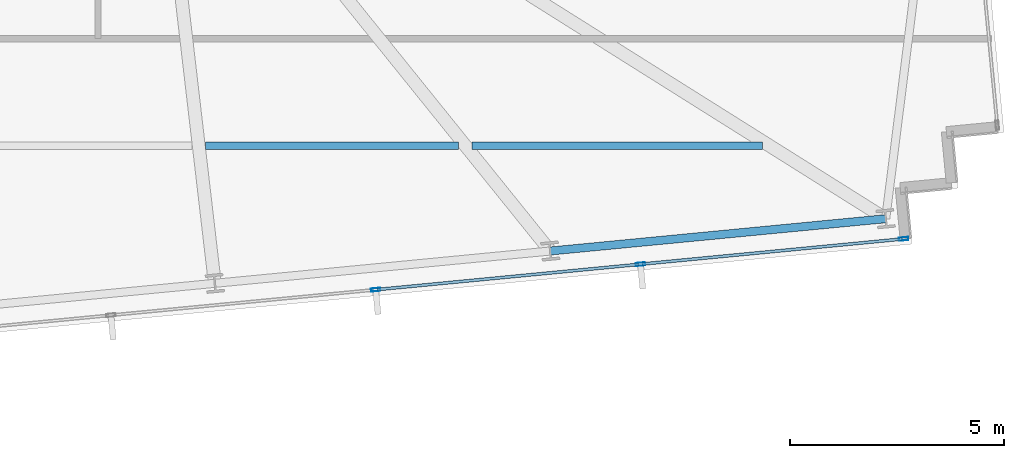
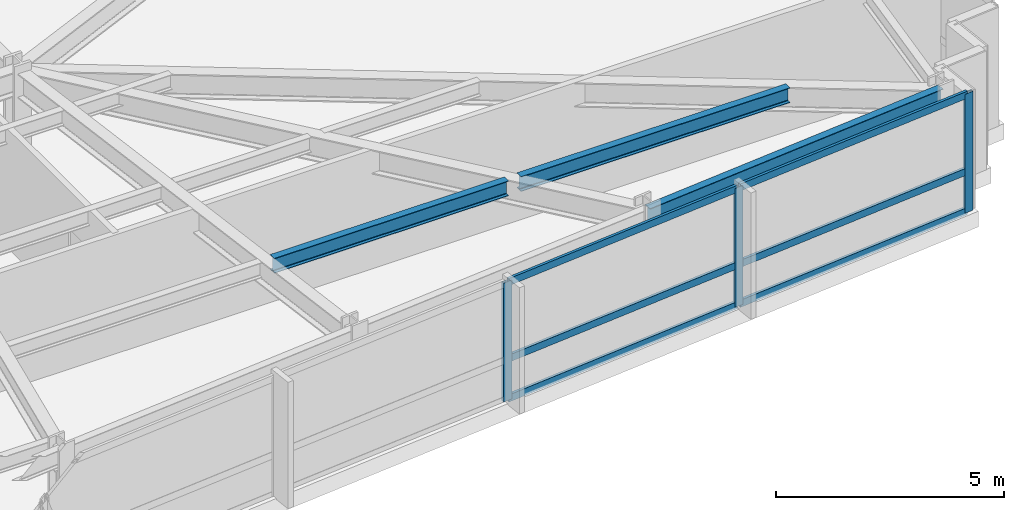
# One storey, part 13 of 33: 9 members, 3 beams, 1 element without a shape of its own.
"""IFC4 building model written with IfcOpenShell, lengths in metres."""

import ifcopenshell
import ifcopenshell.guid

model = None  # the IFC model being written
_history = None  # IfcOwnerHistory: only IFC2X3 demands one
_inside = {}  # id of a spatial element -> (the spatial element, [elements in it])
_under = {}  # id of a project, library or spatial element -> (it, [spatial elements below it])
_declared = {}  # id of a project -> (the project, [libraries it declares])
_typed = {}  # id of a type object -> (the type object, [elements of that type])
_made_of = {}  # id of a material, layer set ... -> (it, [elements and type objects made of it])


def new_model(schema):
    """Start an empty IFC model of exactly this schema.

    Asked for "IFC4X3", IfcOpenShell would pick the latest addendum, in which some entities
    have other attributes; the version numbers below select the first issue.
    IFC2X3 requires an IfcOwnerHistory on every rooted entity: one is made here for all.
    """
    global model, _history
    if schema == "IFC4X3":
        model = ifcopenshell.file(schema_version=(4, 3, 0, 0))
    else:
        model = ifcopenshell.file(schema=schema)
    _inside.clear()
    _under.clear()
    _declared.clear()
    _typed.clear()
    _made_of.clear()
    _history = None
    if model.schema == "IFC2X3":
        org = make("IfcOrganization", Name="unknown")
        user = make(
            "IfcPersonAndOrganization",
            ThePerson=make("IfcPerson", FamilyName="unknown"),
            TheOrganization=org,
        )
        app = make(
            "IfcApplication",
            ApplicationDeveloper=org,
            Version="unknown",
            ApplicationFullName="unknown",
            ApplicationIdentifier="unknown",
        )
        _history = make(
            "IfcOwnerHistory",
            OwningUser=user,
            OwningApplication=app,
            ChangeAction="ADDED",
            CreationDate=0,
        )
    return model


def make(cls, **values):
    """One entity of the class cls with the attributes given. An attribute that is None is left unset."""
    return model.create_entity(
        cls, **{name: value for name, value in values.items() if value is not None}
    )


def rooted(cls, **values):
    """An entity with a GlobalId (a new one), such as an element, a storey or a relation."""
    return make(cls, GlobalId=ifcopenshell.guid.new(), OwnerHistory=_history, **values)


def si_unit(unit_type, name, prefix=None):
    """IfcSIUnit, for example si_unit("LENGTHUNIT", "METRE", prefix="MILLI")."""
    return make("IfcSIUnit", UnitType=unit_type, Prefix=prefix, Name=name)


def assignment(units):
    """IfcUnitAssignment: the units of a project."""
    return None if units is None else make("IfcUnitAssignment", Units=units)


def point(xyz):
    """IfcCartesianPoint."""
    return None if xyz is None else make("IfcCartesianPoint", Coordinates=xyz)


def direction(xyz):
    """IfcDirection."""
    return None if xyz is None else make("IfcDirection", DirectionRatios=xyz)


def frame(location, z_axis=None, x_axis=None):
    """IfcAxis2Placement3D, a coordinate frame: its origin and axes. An axis left out is left unset."""
    return make(
        "IfcAxis2Placement3D",
        Location=point(location),
        Axis=direction(z_axis),
        RefDirection=direction(x_axis),
    )


def frame_2d(location, x_axis=None):
    """IfcAxis2Placement2D, a coordinate frame in the plane: its origin and x axis."""
    return make(
        "IfcAxis2Placement2D", Location=point(location), RefDirection=direction(x_axis)
    )


def origin():
    """The frame at (0, 0, 0) with its axes left unset."""
    return frame((0.0, 0.0, 0.0))


def origin_2d():
    """The frame at (0, 0) in the plane with its x axis left unset."""
    return frame_2d((0.0, 0.0))


def place(relative_to, where):
    """IfcLocalPlacement: puts the frame where relative to a parent placement (None: the world)."""
    return make(
        "IfcLocalPlacement", PlacementRelTo=relative_to, RelativePlacement=where
    )


def context(
    kind, dimensions, precision=None, world=None, true_north=None, identifier=None
):
    """IfcGeometricRepresentationContext, for example the 3D "Model" context."""
    return make(
        "IfcGeometricRepresentationContext",
        ContextIdentifier=identifier,
        ContextType=kind,
        CoordinateSpaceDimension=dimensions,
        Precision=precision,
        WorldCoordinateSystem=world,
        TrueNorth=true_north,
    )


def subcontext(parent, identifier, kind, view, scale=None):
    """IfcGeometricRepresentationSubContext, for example "Body" below "Model"."""
    return make(
        "IfcGeometricRepresentationSubContext",
        ContextIdentifier=identifier,
        ContextType=kind,
        ParentContext=parent,
        TargetScale=scale,
        TargetView=view,
    )


def project(units=None, contexts=None):
    """IfcProject with its units and contexts."""
    return rooted(
        "IfcProject",
        Name="project",
        RepresentationContexts=contexts,
        UnitsInContext=assignment(units),
    )


def spatial(cls, under=None, at=None, **own):
    """A site, building, storey or space (cls), placed at a placement, below another one or the project."""
    s = rooted(cls, ObjectPlacement=at, **own)
    if under is not None:
        _under.setdefault(under.id(), (under, []))[1].append(s)
    return s


def profile(cls, at=None, kind="AREA", **sizes):
    """A parametric profile (cls). Its sizes go by their IFC names, for example OverallWidth=200.0."""
    return make(cls, ProfileType=kind, Position=at, **sizes)


def hollow_rectangle(**sizes):
    """IfcRectangleHollowProfileDef."""
    return profile("IfcRectangleHollowProfileDef", **sizes)


def i_section(**sizes):
    """IfcIShapeProfileDef."""
    return profile("IfcIShapeProfileDef", **sizes)


def extrude(swept, where, along, depth):
    """IfcExtrudedAreaSolid: the profile swept, set in the frame where, extruded along a direction by depth."""
    return make(
        "IfcExtrudedAreaSolid",
        SweptArea=swept,
        Position=where,
        ExtrudedDirection=direction(along),
        Depth=depth,
    )


def shape(context_of_items, identifier, shape_type, items):
    """IfcShapeRepresentation: the items that make up one representation, for example the "Body"."""
    return make(
        "IfcShapeRepresentation",
        ContextOfItems=context_of_items,
        RepresentationIdentifier=identifier,
        RepresentationType=shape_type,
        Items=items,
    )


def material(Name=None, Category=None):
    """IfcMaterial."""
    return make("IfcMaterial", Name=Name, Category=Category)


def material_profile(
    of_material, cross_section, Name=None, Category=None, Priority=None
):
    """IfcMaterialProfile: a cross section and its material."""
    return make(
        "IfcMaterialProfile",
        Name=Name,
        Material=of_material,
        Profile=cross_section,
        Priority=Priority,
        Category=Category,
    )


def profile_set(profiles, Name=None, composite=None):
    """IfcMaterialProfileSet."""
    return make(
        "IfcMaterialProfileSet",
        Name=Name,
        MaterialProfiles=profiles,
        CompositeProfile=composite,
    )


def made_of(thing, what):
    """Note that an element or type object is made of a material, layer set ...; save() writes the relation."""
    if what is not None:
        _made_of.setdefault(what.id(), (what, []))[1].append(thing)
    return thing


def type_object(cls, material=None, **own):
    """A type object (cls), such as IfcWallType, which elements share."""
    return made_of(rooted(cls, **own), material)


def element(
    cls,
    number,
    at=None,
    inside=None,
    cuts=None,
    type_object=None,
    material=None,
    context=None,
    identifier="Body",
    shape_type=None,
    held_by="IfcProductDefinitionShape",
    body=None,
    shapes=None,
    **own,
):
    """One element of the class cls, such as IfcWall. Its Tag is "e" and its number.

    at: its placement. inside: the storey or other place that contains it. cuts: it is an
    opening in that element (IfcRelVoidsElement). A single representation is given by context,
    identifier, shape_type and body (its items); several are given by shapes. held_by: the class
    of the entity that holds the representations. save() writes the other relations.
    """
    e = rooted(cls, Tag="e%d" % number, ObjectPlacement=at, **own)
    if body is not None:
        shapes = [shape(context, identifier, shape_type, body)]
    if shapes is not None:
        e.Representation = make(held_by, Representations=shapes)
    if inside is not None:
        _inside.setdefault(inside.id(), (inside, []))[1].append(e)
    if cuts is not None:
        rooted(
            "IfcRelVoidsElement", RelatingBuildingElement=cuts, RelatedOpeningElement=e
        )
    if type_object is not None:
        _typed.setdefault(type_object.id(), (type_object, []))[1].append(e)
    return made_of(e, material)


def aggregate(whole, parts):
    """IfcRelAggregates: a whole, such as a stair, and the parts it consists of."""
    return rooted("IfcRelAggregates", RelatingObject=whole, RelatedObjects=parts)


def save(model, path):
    """Write the relations noted so far, then the file.

    IfcRelAggregates (storeys below a building ...), IfcRelContainedInSpatialStructure (elements
    in a storey), IfcRelDefinesByType, IfcRelAssociatesMaterial and IfcRelDeclares: one each for
    every whole, place, type object, material and project.
    """
    for whole, parts in _under.values():
        aggregate(whole, parts)
    for where, things in _inside.values():
        rooted(
            "IfcRelContainedInSpatialStructure",
            RelatedElements=things,
            RelatingStructure=where,
        )
    for kind, things in _typed.values():
        rooted("IfcRelDefinesByType", RelatedObjects=things, RelatingType=kind)
    for what, things in _made_of.values():
        rooted("IfcRelAssociatesMaterial", RelatedObjects=things, RelatingMaterial=what)
    for by, libraries in _declared.values():
        rooted("IfcRelDeclares", RelatingContext=by, RelatedDefinitions=libraries)
    model.write(path)


model = new_model("IFC4")

# Units and contexts
model_context = context("Model", 3, precision=1e-05, world=origin(), true_north=direction((0.0, 1.0)))
body_context = subcontext(model_context, "Body", "Model", "MODEL_VIEW")
ifc_project = project(units=[si_unit("LENGTHUNIT", "METRE"), si_unit("AREAUNIT", "SQUARE_METRE"), si_unit("VOLUMEUNIT", "CUBIC_METRE"), si_unit("PLANEANGLEUNIT", "RADIAN"), si_unit("MASSUNIT", "GRAM", prefix="KILO")], contexts=[model_context])

# Site, building, storey
site_placement = place(None, origin())
site = spatial("IfcSite", under=ifc_project, at=site_placement, CompositionType="ELEMENT")
building_placement = place(site_placement, origin())
building = spatial("IfcBuilding", under=site, at=building_placement, Name="Yelkora Congress Tower", CompositionType="ELEMENT")
storey_placement = place(building_placement, frame((0.0, 0.0, 89.699951171875)))
storey = spatial("IfcBuildingStorey", under=building, at=storey_placement, Name="L23", CompositionType="ELEMENT", Elevation=89.699951171875)

# Beams
ifc_material_1 = material(Name="Steel S355J2", Category="steel")
ifc_material_profile_1 = material_profile(ifc_material_1, i_section(OverallWidth=0.179931640625, OverallDepth=0.39990234375, WebThickness=0.008544921875, FlangeThickness=0.013427734375, FilletRadius=0.02099609375, at=origin_2d()), Name="IPE 400")
ifc_profile_set_1 = profile_set([ifc_material_profile_1], Name="Steel S355J2")
beam_type_1 = type_object("IfcBeamType", Name="BM-JOIST-IPE400", PredefinedType="JOIST", material=ifc_profile_set_1)
beam_1_placement = place(storey_placement, frame((58.817138671875, 16.144287109375, 2.97998046875), z_axis=(1.0, 0.0, 0.0), x_axis=(0.0, 1.0, 0.0)))
element("IfcBeam", 1, at=beam_1_placement, inside=storey, type_object=beam_type_1, Name="L23 Composite Floor Joist 9", PredefinedType="JOIST", context=body_context, shape_type="SweptSolid", body=[
    extrude(i_section(OverallWidth=0.179931640625, OverallDepth=0.39990234375, WebThickness=0.008544921875, FlangeThickness=0.013427734375, FilletRadius=0.02099609375, at=origin_2d()), origin(), (0.0, 0.0, 1.0), 5.919189453125),
])
beam_2_placement = place(storey_placement, frame((65.056396484375, 16.144287109375, 2.97998046875), z_axis=(1.0, 0.0, 0.0), x_axis=(0.0, 1.0, 0.0)))
element("IfcBeam", 2, at=beam_2_placement, inside=storey, type_object=beam_type_1, Name="L23 Composite Floor Joist 10", PredefinedType="JOIST", context=body_context, shape_type="SweptSolid", body=[
    extrude(i_section(OverallWidth=0.179931640625, OverallDepth=0.39990234375, WebThickness=0.008544921875, FlangeThickness=0.013427734375, FilletRadius=0.02099609375, at=origin_2d()), origin(), (0.0, 0.0, 1.0), 6.795166015625),
])
ifc_material_profile_2 = material_profile(ifc_material_1, i_section(OverallWidth=0.18994140625, OverallDepth=0.449951171875, WebThickness=0.009521484375, FlangeThickness=0.0146484375, FilletRadius=0.02099609375, at=origin_2d()), Name="IPE 450")
ifc_profile_set_2 = profile_set([ifc_material_profile_2], Name="Steel S355J2")
beam_type_2 = type_object("IfcBeamType", Name="BM-SPAN-IPE450", PredefinedType="SPANDREL", material=ifc_profile_set_2)
beam_3_placement = place(storey_placement, frame((66.882568359375, 13.67919921875, 2.955078125), z_axis=(0.995395575667, 0.095852219286, 0.0), x_axis=(-0.095852219286, 0.995395575667, 0.0)))
element("IfcBeam", 3, at=beam_3_placement, inside=storey, type_object=beam_type_2, Name="L23 Perimeter Beam 9", PredefinedType="SPANDREL", context=body_context, shape_type="SweptSolid", body=[
    extrude(i_section(OverallWidth=0.18994140625, OverallDepth=0.449951171875, WebThickness=0.009521484375, FlangeThickness=0.0146484375, FilletRadius=0.02099609375, at=origin_2d()), origin(), (0.0, 0.0, 1.0), 7.8857421875),
])

# Curtain wall, members
ifc_material_2 = material(Name="Anodised aluminium and insulated glass", Category="aluminium")
curtain_wall_type = type_object("IfcCurtainWallType", Name="CW-SYS-SKY", PredefinedType="NOTDEFINED", material=ifc_material_2)
curtain_wall_placement = place(storey_placement, origin())
curtain_wall = element("IfcCurtainWall", 4, at=curtain_wall_placement, inside=storey, type_object=curtain_wall_type, Name="L23 Unitised Curtain Wall 20", PredefinedType="NOTDEFINED")
ifc_material_3 = material(Name="Anodised aluminium 6063-T6", Category="aluminium")
ifc_material_profile_3 = material_profile(ifc_material_3, hollow_rectangle(XDim=0.074951171875, YDim=0.219970703125, WallThickness=0.0048828125, at=origin_2d()), Name="ALU 75x220x5")
ifc_profile_set_3 = profile_set([ifc_material_profile_3], Name="Anodised aluminium 6063-T6")
member_type_1 = type_object("IfcMemberType", Name="MEM-ML-SKY", PredefinedType="MULLION", material=ifc_profile_set_3)
member_1_placement = place(storey_placement, frame((75.1513671875, 13.963134765625, 0.0), z_axis=(0.0, 0.0, 1.0), x_axis=(0.095844345816, -0.995396333816, 0.0)))
member_1 = element("IfcMember", 5, at=member_1_placement, type_object=member_type_1, Name="CW-SKY mullion 1", PredefinedType="MULLION", context=body_context, shape_type="SweptSolid", body=[
    extrude(hollow_rectangle(XDim=0.074951171875, YDim=0.219970703125, WallThickness=0.0048828125, at=origin_2d()), origin(), (0.0, 0.0, 1.0), 3.179931640625),
])
member_2_placement = place(storey_placement, frame((68.992919921875, 13.3701171875, 0.0), z_axis=(0.0, 0.0, 1.0), x_axis=(0.095844345816, -0.995396333816, 0.0)))
member_2 = element("IfcMember", 6, at=member_2_placement, type_object=member_type_1, Name="CW-SKY mullion 2", PredefinedType="MULLION", context=body_context, shape_type="SweptSolid", body=[
    extrude(hollow_rectangle(XDim=0.074951171875, YDim=0.219970703125, WallThickness=0.0048828125, at=origin_2d()), origin(), (0.0, 0.0, 1.0), 3.179931640625),
])
member_3_placement = place(storey_placement, frame((62.797119140625, 12.7734375, 0.0), z_axis=(0.0, 0.0, 1.0), x_axis=(0.095844345816, -0.995396333816, 0.0)))
member_3 = element("IfcMember", 7, at=member_3_placement, type_object=member_type_1, Name="CW-SKY mullion 3", PredefinedType="MULLION", context=body_context, shape_type="SweptSolid", body=[
    extrude(hollow_rectangle(XDim=0.074951171875, YDim=0.219970703125, WallThickness=0.0048828125, at=origin_2d()), origin(), (0.0, 0.0, 1.0), 3.179931640625),
])
ifc_material_profile_4 = material_profile(ifc_material_3, hollow_rectangle(XDim=0.070068359375, YDim=0.18994140625, WallThickness=0.00390625, at=origin_2d()), Name="ALU 70x190x4")
ifc_profile_set_4 = profile_set([ifc_material_profile_4], Name="Anodised aluminium 6063-T6")
member_type_2 = type_object("IfcMemberType", Name="MEM-TR-SKY", PredefinedType="USERDEFINED", material=ifc_profile_set_4)
member_4_placement = place(storey_placement, frame((75.1142578125, 13.95947265625, 0.03515625), z_axis=(-0.995398191516, -0.09582505062, 0.0), x_axis=(0.09582505062, -0.995398191516, 0.0)))
member_4 = element("IfcMember", 8, at=member_4_placement, type_object=member_type_2, Name="CW-SKY transom 1.1", ObjectType="TRANSOM", PredefinedType="USERDEFINED", context=body_context, shape_type="SweptSolid", body=[
    extrude(hollow_rectangle(XDim=0.070068359375, YDim=0.18994140625, WallThickness=0.00390625, at=origin_2d()), origin(), (0.0, 0.0, 1.0), 6.112060546875),
])
member_5_placement = place(storey_placement, frame((75.1142578125, 13.95947265625, 1.10009765625), z_axis=(-0.995398191516, -0.09582505062, 0.0), x_axis=(0.09582505062, -0.995398191516, 0.0)))
member_5 = element("IfcMember", 9, at=member_5_placement, type_object=member_type_2, Name="CW-SKY transom 1.2", ObjectType="TRANSOM", PredefinedType="USERDEFINED", context=body_context, shape_type="SweptSolid", body=[
    extrude(hollow_rectangle(XDim=0.070068359375, YDim=0.18994140625, WallThickness=0.00390625, at=origin_2d()), origin(), (0.0, 0.0, 1.0), 6.112060546875),
])
member_6_placement = place(storey_placement, frame((75.1142578125, 13.95947265625, 3.14501953125), z_axis=(-0.995398191516, -0.09582505062, 0.0), x_axis=(0.09582505062, -0.995398191516, 0.0)))
member_6 = element("IfcMember", 10, at=member_6_placement, type_object=member_type_2, Name="CW-SKY transom 1.3", ObjectType="TRANSOM", PredefinedType="USERDEFINED", context=body_context, shape_type="SweptSolid", body=[
    extrude(hollow_rectangle(XDim=0.070068359375, YDim=0.18994140625, WallThickness=0.00390625, at=origin_2d()), origin(), (0.0, 0.0, 1.0), 6.112060546875),
])
member_7_placement = place(storey_placement, frame((68.95556640625, 13.366455078125, 0.03515625), z_axis=(-0.995396800655, -0.095839497319, 0.0), x_axis=(0.095839497319, -0.995396800655, 0.0)))
member_7 = element("IfcMember", 11, at=member_7_placement, type_object=member_type_2, Name="CW-SKY transom 2.1", ObjectType="TRANSOM", PredefinedType="USERDEFINED", context=body_context, shape_type="SweptSolid", body=[
    extrude(hollow_rectangle(XDim=0.070068359375, YDim=0.18994140625, WallThickness=0.00390625, at=origin_2d()), origin(), (0.0, 0.0, 1.0), 6.1494140625),
])
member_8_placement = place(storey_placement, frame((68.95556640625, 13.366455078125, 1.10009765625), z_axis=(-0.995396800655, -0.095839497319, 0.0), x_axis=(0.095839497319, -0.995396800655, 0.0)))
member_8 = element("IfcMember", 12, at=member_8_placement, type_object=member_type_2, Name="CW-SKY transom 2.2", ObjectType="TRANSOM", PredefinedType="USERDEFINED", context=body_context, shape_type="SweptSolid", body=[
    extrude(hollow_rectangle(XDim=0.070068359375, YDim=0.18994140625, WallThickness=0.00390625, at=origin_2d()), origin(), (0.0, 0.0, 1.0), 6.1494140625),
])
member_9_placement = place(storey_placement, frame((68.95556640625, 13.366455078125, 3.14501953125), z_axis=(-0.995396800655, -0.095839497319, 0.0), x_axis=(0.095839497319, -0.995396800655, 0.0)))
member_9 = element("IfcMember", 13, at=member_9_placement, type_object=member_type_2, Name="CW-SKY transom 2.3", ObjectType="TRANSOM", PredefinedType="USERDEFINED", context=body_context, shape_type="SweptSolid", body=[
    extrude(hollow_rectangle(XDim=0.070068359375, YDim=0.18994140625, WallThickness=0.00390625, at=origin_2d()), origin(), (0.0, 0.0, 1.0), 6.1494140625),
])
aggregate(curtain_wall, [member_1, member_2, member_3, member_4, member_5, member_6, member_7, member_8, member_9])

save(model, "model.ifc")
